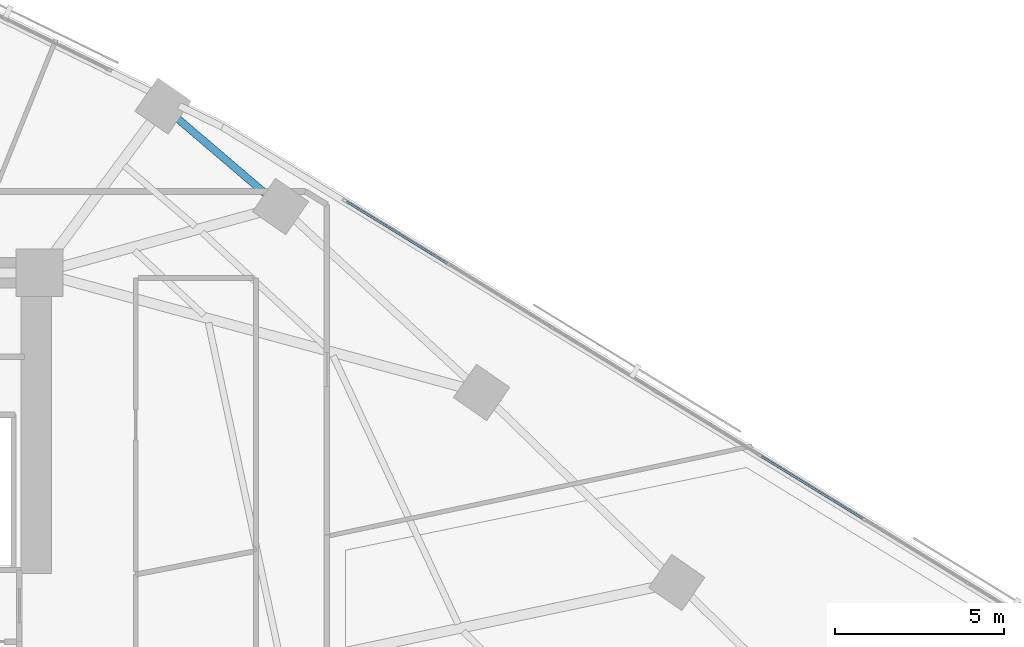
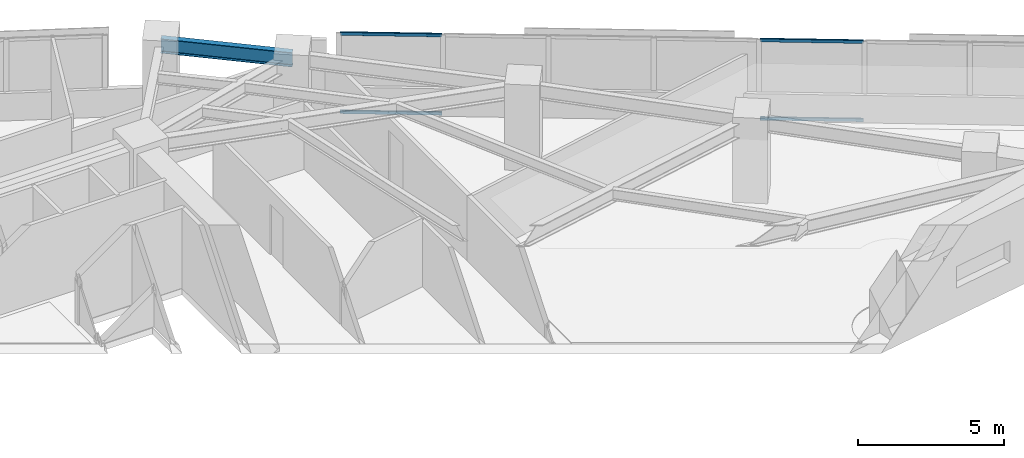
# One storey, part 7 of 18: 4 members, 1 beam, 1 element without a shape of its own.
"""IFC4 building model written with IfcOpenShell, lengths in metres."""

import ifcopenshell
import ifcopenshell.guid

model = None  # the IFC model being written
_history = None  # IfcOwnerHistory: only IFC2X3 demands one
_inside = {}  # id of a spatial element -> (the spatial element, [elements in it])
_under = {}  # id of a project, library or spatial element -> (it, [spatial elements below it])
_declared = {}  # id of a project -> (the project, [libraries it declares])
_typed = {}  # id of a type object -> (the type object, [elements of that type])
_made_of = {}  # id of a material, layer set ... -> (it, [elements and type objects made of it])


def new_model(schema):
    """Start an empty IFC model of exactly this schema.

    Asked for "IFC4X3", IfcOpenShell would pick the latest addendum, in which some entities
    have other attributes; the version numbers below select the first issue.
    IFC2X3 requires an IfcOwnerHistory on every rooted entity: one is made here for all.
    """
    global model, _history
    if schema == "IFC4X3":
        model = ifcopenshell.file(schema_version=(4, 3, 0, 0))
    else:
        model = ifcopenshell.file(schema=schema)
    _inside.clear()
    _under.clear()
    _declared.clear()
    _typed.clear()
    _made_of.clear()
    _history = None
    if model.schema == "IFC2X3":
        org = make("IfcOrganization", Name="unknown")
        user = make(
            "IfcPersonAndOrganization",
            ThePerson=make("IfcPerson", FamilyName="unknown"),
            TheOrganization=org,
        )
        app = make(
            "IfcApplication",
            ApplicationDeveloper=org,
            Version="unknown",
            ApplicationFullName="unknown",
            ApplicationIdentifier="unknown",
        )
        _history = make(
            "IfcOwnerHistory",
            OwningUser=user,
            OwningApplication=app,
            ChangeAction="ADDED",
            CreationDate=0,
        )
    return model


def make(cls, **values):
    """One entity of the class cls with the attributes given. An attribute that is None is left unset."""
    return model.create_entity(
        cls, **{name: value for name, value in values.items() if value is not None}
    )


def rooted(cls, **values):
    """An entity with a GlobalId (a new one), such as an element, a storey or a relation."""
    return make(cls, GlobalId=ifcopenshell.guid.new(), OwnerHistory=_history, **values)


def si_unit(unit_type, name, prefix=None):
    """IfcSIUnit, for example si_unit("LENGTHUNIT", "METRE", prefix="MILLI")."""
    return make("IfcSIUnit", UnitType=unit_type, Prefix=prefix, Name=name)


def assignment(units):
    """IfcUnitAssignment: the units of a project."""
    return None if units is None else make("IfcUnitAssignment", Units=units)


def point(xyz):
    """IfcCartesianPoint."""
    return None if xyz is None else make("IfcCartesianPoint", Coordinates=xyz)


def direction(xyz):
    """IfcDirection."""
    return None if xyz is None else make("IfcDirection", DirectionRatios=xyz)


def frame(location, z_axis=None, x_axis=None):
    """IfcAxis2Placement3D, a coordinate frame: its origin and axes. An axis left out is left unset."""
    return make(
        "IfcAxis2Placement3D",
        Location=point(location),
        Axis=direction(z_axis),
        RefDirection=direction(x_axis),
    )


def frame_2d(location, x_axis=None):
    """IfcAxis2Placement2D, a coordinate frame in the plane: its origin and x axis."""
    return make(
        "IfcAxis2Placement2D", Location=point(location), RefDirection=direction(x_axis)
    )


def origin():
    """The frame at (0, 0, 0) with its axes left unset."""
    return frame((0.0, 0.0, 0.0))


def origin_2d():
    """The frame at (0, 0) in the plane with its x axis left unset."""
    return frame_2d((0.0, 0.0))


def place(relative_to, where):
    """IfcLocalPlacement: puts the frame where relative to a parent placement (None: the world)."""
    return make(
        "IfcLocalPlacement", PlacementRelTo=relative_to, RelativePlacement=where
    )


def context(
    kind, dimensions, precision=None, world=None, true_north=None, identifier=None
):
    """IfcGeometricRepresentationContext, for example the 3D "Model" context."""
    return make(
        "IfcGeometricRepresentationContext",
        ContextIdentifier=identifier,
        ContextType=kind,
        CoordinateSpaceDimension=dimensions,
        Precision=precision,
        WorldCoordinateSystem=world,
        TrueNorth=true_north,
    )


def subcontext(parent, identifier, kind, view, scale=None):
    """IfcGeometricRepresentationSubContext, for example "Body" below "Model"."""
    return make(
        "IfcGeometricRepresentationSubContext",
        ContextIdentifier=identifier,
        ContextType=kind,
        ParentContext=parent,
        TargetScale=scale,
        TargetView=view,
    )


def project(units=None, contexts=None):
    """IfcProject with its units and contexts."""
    return rooted(
        "IfcProject",
        Name="project",
        RepresentationContexts=contexts,
        UnitsInContext=assignment(units),
    )


def spatial(cls, under=None, at=None, **own):
    """A site, building, storey or space (cls), placed at a placement, below another one or the project."""
    s = rooted(cls, ObjectPlacement=at, **own)
    if under is not None:
        _under.setdefault(under.id(), (under, []))[1].append(s)
    return s


def profile(cls, at=None, kind="AREA", **sizes):
    """A parametric profile (cls). Its sizes go by their IFC names, for example OverallWidth=200.0."""
    return make(cls, ProfileType=kind, Position=at, **sizes)


def hollow_rectangle(**sizes):
    """IfcRectangleHollowProfileDef."""
    return profile("IfcRectangleHollowProfileDef", **sizes)


def i_section(**sizes):
    """IfcIShapeProfileDef."""
    return profile("IfcIShapeProfileDef", **sizes)


def extrude(swept, where, along, depth):
    """IfcExtrudedAreaSolid: the profile swept, set in the frame where, extruded along a direction by depth."""
    return make(
        "IfcExtrudedAreaSolid",
        SweptArea=swept,
        Position=where,
        ExtrudedDirection=direction(along),
        Depth=depth,
    )


def shape(context_of_items, identifier, shape_type, items):
    """IfcShapeRepresentation: the items that make up one representation, for example the "Body"."""
    return make(
        "IfcShapeRepresentation",
        ContextOfItems=context_of_items,
        RepresentationIdentifier=identifier,
        RepresentationType=shape_type,
        Items=items,
    )


def material(Name=None, Category=None):
    """IfcMaterial."""
    return make("IfcMaterial", Name=Name, Category=Category)


def material_profile(
    of_material, cross_section, Name=None, Category=None, Priority=None
):
    """IfcMaterialProfile: a cross section and its material."""
    return make(
        "IfcMaterialProfile",
        Name=Name,
        Material=of_material,
        Profile=cross_section,
        Priority=Priority,
        Category=Category,
    )


def profile_set(profiles, Name=None, composite=None):
    """IfcMaterialProfileSet."""
    return make(
        "IfcMaterialProfileSet",
        Name=Name,
        MaterialProfiles=profiles,
        CompositeProfile=composite,
    )


def made_of(thing, what):
    """Note that an element or type object is made of a material, layer set ...; save() writes the relation."""
    if what is not None:
        _made_of.setdefault(what.id(), (what, []))[1].append(thing)
    return thing


def type_object(cls, material=None, **own):
    """A type object (cls), such as IfcWallType, which elements share."""
    return made_of(rooted(cls, **own), material)


def element(
    cls,
    number,
    at=None,
    inside=None,
    cuts=None,
    type_object=None,
    material=None,
    context=None,
    identifier="Body",
    shape_type=None,
    held_by="IfcProductDefinitionShape",
    body=None,
    shapes=None,
    **own,
):
    """One element of the class cls, such as IfcWall. Its Tag is "e" and its number.

    at: its placement. inside: the storey or other place that contains it. cuts: it is an
    opening in that element (IfcRelVoidsElement). A single representation is given by context,
    identifier, shape_type and body (its items); several are given by shapes. held_by: the class
    of the entity that holds the representations. save() writes the other relations.
    """
    e = rooted(cls, Tag="e%d" % number, ObjectPlacement=at, **own)
    if body is not None:
        shapes = [shape(context, identifier, shape_type, body)]
    if shapes is not None:
        e.Representation = make(held_by, Representations=shapes)
    if inside is not None:
        _inside.setdefault(inside.id(), (inside, []))[1].append(e)
    if cuts is not None:
        rooted(
            "IfcRelVoidsElement", RelatingBuildingElement=cuts, RelatedOpeningElement=e
        )
    if type_object is not None:
        _typed.setdefault(type_object.id(), (type_object, []))[1].append(e)
    return made_of(e, material)


def aggregate(whole, parts):
    """IfcRelAggregates: a whole, such as a stair, and the parts it consists of."""
    return rooted("IfcRelAggregates", RelatingObject=whole, RelatedObjects=parts)


def save(model, path):
    """Write the relations noted so far, then the file.

    IfcRelAggregates (storeys below a building ...), IfcRelContainedInSpatialStructure (elements
    in a storey), IfcRelDefinesByType, IfcRelAssociatesMaterial and IfcRelDeclares: one each for
    every whole, place, type object, material and project.
    """
    for whole, parts in _under.values():
        aggregate(whole, parts)
    for where, things in _inside.values():
        rooted(
            "IfcRelContainedInSpatialStructure",
            RelatedElements=things,
            RelatingStructure=where,
        )
    for kind, things in _typed.values():
        rooted("IfcRelDefinesByType", RelatedObjects=things, RelatingType=kind)
    for what, things in _made_of.values():
        rooted("IfcRelAssociatesMaterial", RelatedObjects=things, RelatingMaterial=what)
    for by, libraries in _declared.values():
        rooted("IfcRelDeclares", RelatingContext=by, RelatedDefinitions=libraries)
    model.write(path)


model = new_model("IFC4")

# Units and contexts
model_context = context("Model", 3, precision=1e-05, world=origin(), true_north=direction((0.0, 1.0)))
body_context = subcontext(model_context, "Body", "Model", "MODEL_VIEW")
ifc_project = project(units=[si_unit("LENGTHUNIT", "METRE"), si_unit("AREAUNIT", "SQUARE_METRE"), si_unit("VOLUMEUNIT", "CUBIC_METRE"), si_unit("PLANEANGLEUNIT", "RADIAN"), si_unit("MASSUNIT", "GRAM", prefix="KILO")], contexts=[model_context])

# Site, building, storey
site_placement = place(None, origin())
site = spatial("IfcSite", under=ifc_project, at=site_placement, CompositionType="ELEMENT")
building_placement = place(site_placement, origin())
building = spatial("IfcBuilding", under=site, at=building_placement, Name="Narakoshi Arena Tower", CompositionType="ELEMENT")
storey_placement = place(building_placement, frame((0.0, 0.0, 110.10009765625)))
storey = spatial("IfcBuildingStorey", under=building, at=storey_placement, Name="L29", CompositionType="ELEMENT", Elevation=110.10009765625)

# Beam
ifc_material_1 = material(Name="Structural steel S355J2", Category="steel")
ifc_material_profile_1 = material_profile(ifc_material_1, i_section(OverallWidth=0.219970703125, OverallDepth=0.60009765625, WebThickness=0.011962890625, FlangeThickness=0.01904296875, FilletRadius=0.02392578125, at=origin_2d()), Name="IPE600")
ifc_profile_set_1 = profile_set([ifc_material_profile_1], Name="Structural steel S355J2")
beam_type = type_object("IfcBeamType", Name="BM-EDGE-600", PredefinedType="BEAM", material=ifc_profile_set_1)
beam_placement = place(storey_placement, frame((92.68994140625, 58.462890625, 3.039794921875), z_axis=(-0.760410417533, 0.64944283575, 0.0), x_axis=(-0.64944283575, -0.760410417533, 0.0)))
element("IfcBeam", 1, at=beam_placement, inside=storey, type_object=beam_type, Name="L29 Perimeter Edge Girder 07", PredefinedType="BEAM", context=body_context, shape_type="SweptSolid", body=[
    extrude(i_section(OverallWidth=0.219970703125, OverallDepth=0.60009765625, WebThickness=0.011962890625, FlangeThickness=0.01904296875, FilletRadius=0.02392578125, at=origin_2d()), origin(), (0.0, 0.0, 1.0), 4.58056640625),
])

# Curtain wall, members
ifc_material_2 = material(Name="Anodised bronze aluminium 6063-T6", Category="aluminium")
curtain_wall_type = type_object("IfcCurtainWallType", Name="CW-HYP-LOW", PredefinedType="NOTDEFINED", material=ifc_material_2)
curtain_wall_placement = place(storey_placement, origin())
curtain_wall = element("IfcCurtainWall", 2, at=curtain_wall_placement, inside=storey, type_object=curtain_wall_type, Name="L29 Folded Hypotenuse Curtain Wall 1-1", PredefinedType="NOTDEFINED")
ifc_material_profile_2 = material_profile(ifc_material_2, hollow_rectangle(XDim=0.06494140625, YDim=0.1298828125, WallThickness=0.00390625, OuterFilletRadius=0.0048828125, at=origin_2d()), Name="TRN130x65x4")
ifc_profile_set_2 = profile_set([ifc_material_profile_2], Name="Anodised bronze aluminium 6063-T6")
member_type = type_object("IfcMemberType", Name="MEM-TRN-130", PredefinedType="USERDEFINED", material=ifc_profile_set_2)
member_1_placement = place(storey_placement, frame((109.931884765625, 49.218017578125, 0.032470703125), z_axis=(-0.852103699909, 0.523372988032, 0.0), x_axis=(-0.523372988032, -0.852103699909, 0.0)))
member_1 = element("IfcMember", 3, at=member_1_placement, type_object=member_type, Name="CW-01 transom 4.1", ObjectType="TRANSOM", PredefinedType="USERDEFINED", context=body_context, shape_type="SweptSolid", body=[
    extrude(hollow_rectangle(XDim=0.06494140625, YDim=0.1298828125, WallThickness=0.00390625, OuterFilletRadius=0.0048828125, at=origin_2d()), origin(), (0.0, 0.0, 1.0), 3.535888671875),
])
member_2_placement = place(storey_placement, frame((109.931884765625, 49.218017578125, 3.307373046875), z_axis=(-0.852103699909, 0.523372988032, 0.0), x_axis=(-0.523372988032, -0.852103699909, 0.0)))
member_2 = element("IfcMember", 4, at=member_2_placement, type_object=member_type, Name="CW-01 transom 4.2", ObjectType="TRANSOM", PredefinedType="USERDEFINED", context=body_context, shape_type="SweptSolid", body=[
    extrude(hollow_rectangle(XDim=0.06494140625, YDim=0.1298828125, WallThickness=0.00390625, OuterFilletRadius=0.0048828125, at=origin_2d()), origin(), (0.0, 0.0, 1.0), 3.535888671875),
])
member_3_placement = place(storey_placement, frame((97.624267578125, 56.777099609375, 0.032470703125), z_axis=(-0.852089324923, 0.52339639123, 0.0), x_axis=(-0.52339639123, -0.852089324923, 0.0)))
member_3 = element("IfcMember", 5, at=member_3_placement, type_object=member_type, Name="CW-01 transom 8.1", ObjectType="TRANSOM", PredefinedType="USERDEFINED", context=body_context, shape_type="SweptSolid", body=[
    extrude(hollow_rectangle(XDim=0.06494140625, YDim=0.1298828125, WallThickness=0.00390625, OuterFilletRadius=0.0048828125, at=origin_2d()), origin(), (0.0, 0.0, 1.0), 3.498291015625),
])
member_4_placement = place(storey_placement, frame((97.624267578125, 56.777099609375, 3.307373046875), z_axis=(-0.852089324923, 0.52339639123, 0.0), x_axis=(-0.52339639123, -0.852089324923, 0.0)))
member_4 = element("IfcMember", 6, at=member_4_placement, type_object=member_type, Name="CW-01 transom 8.2", ObjectType="TRANSOM", PredefinedType="USERDEFINED", context=body_context, shape_type="SweptSolid", body=[
    extrude(hollow_rectangle(XDim=0.06494140625, YDim=0.1298828125, WallThickness=0.00390625, OuterFilletRadius=0.0048828125, at=origin_2d()), origin(), (0.0, 0.0, 1.0), 3.498291015625),
])
aggregate(curtain_wall, [member_1, member_2, member_3, member_4])

save(model, "model.ifc")
